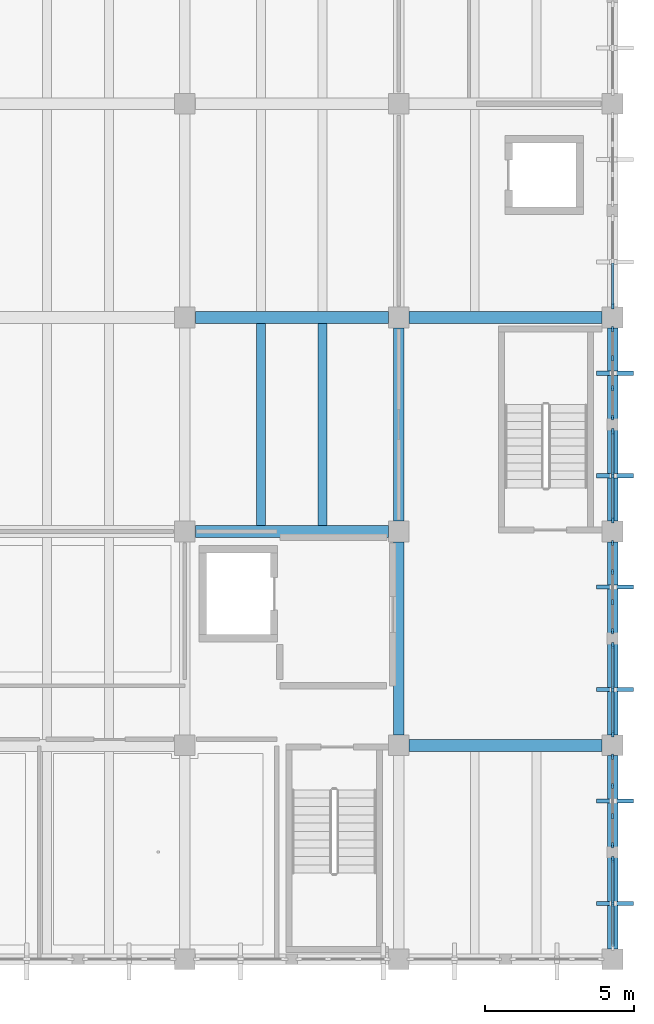
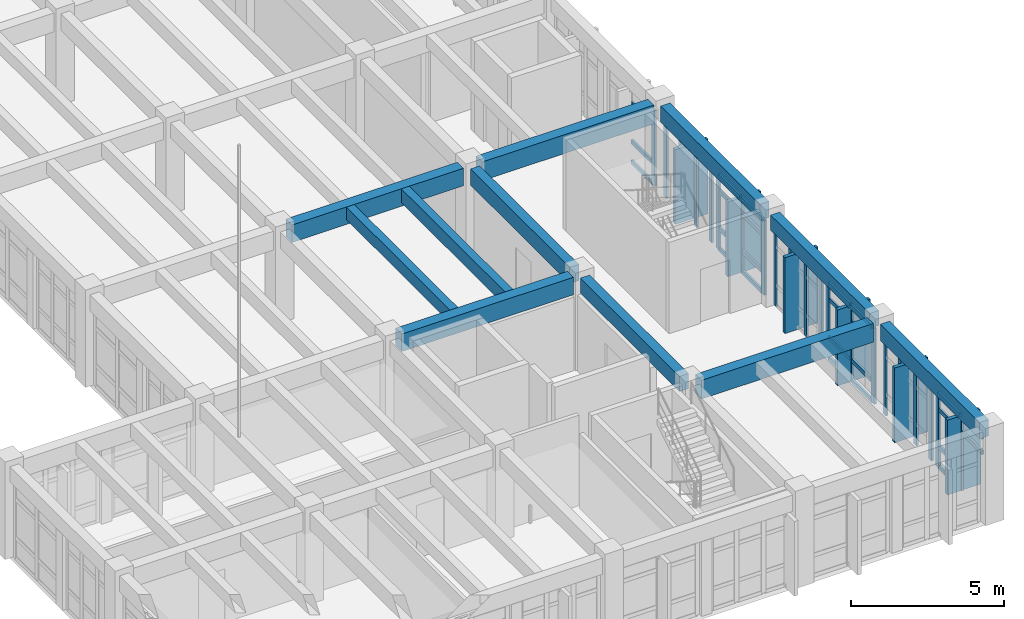
# One storey, part 13 of 54: 52 members, 11 beams, 7 elements without a shape of their own.
"""IFC4 building model written with IfcOpenShell, lengths in metres."""

from ifc_helpers import new_model, si_unit, direction, frame, origin, origin_2d, place, context, subcontext, project, spatial, rectangle, extrude, material, layer, layer_set, material_profile, profile_set, type_object, element, aggregate, save


model = new_model("IFC4")

# Units and contexts
model_context = context("Model", 3, precision=1e-05, world=origin(), true_north=direction((0.0, 1.0)))
body_context = subcontext(model_context, "Body", "Model", "MODEL_VIEW")
ifc_project = project(units=[si_unit("LENGTHUNIT", "METRE"), si_unit("AREAUNIT", "SQUARE_METRE"), si_unit("VOLUMEUNIT", "CUBIC_METRE"), si_unit("PLANEANGLEUNIT", "RADIAN"), si_unit("MASSUNIT", "GRAM", prefix="KILO")], contexts=[model_context])

# Site, building, storey
site_placement = place(None, origin())
site = spatial("IfcSite", under=ifc_project, at=site_placement, CompositionType="ELEMENT")
building_placement = place(site_placement, origin())
building = spatial("IfcBuilding", under=site, at=building_placement, Name="Koriwan Promenade Central Fire Station", CompositionType="ELEMENT")
storey_placement = place(building_placement, frame((0.0, 0.0, 9.60009765625)))
storey = spatial("IfcBuildingStorey", under=building, at=storey_placement, Name="L02", CompositionType="ELEMENT", Elevation=9.60009765625)

# Beams
ifc_material_1 = material(Name="Concrete C35/45", Category="concrete")
ifc_material_profile_1 = material_profile(ifc_material_1, rectangle(XDim=0.300048828125, YDim=0.5, at=origin_2d()), Name="RC-BM-300x500")
ifc_profile_set_1 = profile_set([ifc_material_profile_1], Name="Concrete C35/45")
beam_type_1 = type_object("IfcBeamType", Name="Beam_RC-BM-300x500", PredefinedType="JOIST", material=ifc_profile_set_1)
beam_1_placement = place(storey_placement, frame((160.9599609375, 14.60009765625, 3.39990234375), z_axis=(0.0, 1.0, 0.0), x_axis=(-1.0, 0.0, 0.0)))
element("IfcBeam", 1, at=beam_1_placement, inside=storey, type_object=beam_type_1, Name="V5 L02 secondary joist 829", PredefinedType="JOIST", context=body_context, shape_type="SweptSolid", body=[
    extrude(rectangle(XDim=0.300048828125, YDim=0.5, at=origin_2d()), origin(), (0.0, 0.0, 1.0), 6.7998046875),
])
ifc_material_profile_2 = material_profile(ifc_material_1, rectangle(XDim=0.300048828125, YDim=0.550048828125, at=origin_2d()), Name="RC-BM-300x550")
ifc_profile_set_2 = profile_set([ifc_material_profile_2], Name="Concrete C35/45")
beam_type_2 = type_object("IfcBeamType", Name="Beam_RC-BM-300x550", PredefinedType="JOIST", material=ifc_profile_set_2)
beam_2_placement = place(storey_placement, frame((163.0400390625, 14.60009765625, 3.375), z_axis=(0.0, 1.0, 0.0), x_axis=(-1.0, 0.0, 0.0)))
element("IfcBeam", 2, at=beam_2_placement, inside=storey, type_object=beam_type_2, Name="V5 L02 secondary joist 830", PredefinedType="JOIST", context=body_context, shape_type="SweptSolid", body=[
    extrude(rectangle(XDim=0.300048828125, YDim=0.550048828125, at=origin_2d()), origin(), (0.0, 0.0, 1.0), 6.7998046875),
])
ifc_material_profile_3 = material_profile(ifc_material_1, rectangle(XDim=0.35009765625, YDim=0.60009765625, at=origin_2d()), Name="RC-BM-350x600")
ifc_profile_set_3 = profile_set([ifc_material_profile_3], Name="Concrete C35/45")
beam_type_3 = type_object("IfcBeamType", Name="Beam_RC-BM-350x600", PredefinedType="BEAM", material=ifc_profile_set_3)
for number, where, z_axis, x_axis, name in (
    (3, (165.60009765625, 7.550048828125, 3.349853515625), (0.0, 1.0, 0.0), (-1.0, 0.0, 0.0), "V5 L02 girder Y-802"),
    (4, (172.800048828125, 7.550048828125, 3.349853515625), (0.0, 1.0, 0.0), (-1.0, 0.0, 0.0), "V5 L02 girder Y-810"),
):
    element("IfcBeam", number, at=place(storey_placement, frame(where, z_axis=z_axis, x_axis=x_axis)), inside=storey, type_object=beam_type_3, Name=name, PredefinedType="BEAM", context=body_context, shape_type="SweptSolid", body=[
        extrude(rectangle(XDim=0.35009765625, YDim=0.60009765625, at=origin_2d()), origin(), (0.0, 0.0, 1.0), 6.5),
    ])
ifc_material_profile_4 = material_profile(ifc_material_1, rectangle(XDim=0.35009765625, YDim=0.64990234375, at=origin_2d()), Name="RC-BM-350x650")
ifc_profile_set_4 = profile_set([ifc_material_profile_4], Name="Concrete C35/45")
beam_type_4 = type_object("IfcBeamType", Name="Beam_RC-BM-350x650", PredefinedType="BEAM", material=ifc_profile_set_4)
for number, where, z_axis, x_axis, name in (
    (5, (165.60009765625, 14.75, 3.324951171875), (0.0, 1.0, 0.0), (-1.0, 0.0, 0.0), "V5 L02 girder Y-803"),
    (6, (172.800048828125, 0.35009765625, 3.324951171875), (0.0, 1.0, 0.0), (-1.0, 0.0, 0.0), "V5 L02 girder Y-809"),
    (7, (172.800048828125, 14.75, 3.324951171875), (0.0, 1.0, 0.0), (-1.0, 0.0, 0.0), "V5 L02 girder Y-811"),
):
    element("IfcBeam", number, at=place(storey_placement, frame(where, z_axis=z_axis, x_axis=x_axis)), inside=storey, type_object=beam_type_4, Name=name, PredefinedType="BEAM", context=body_context, shape_type="SweptSolid", body=[
        extrude(rectangle(XDim=0.35009765625, YDim=0.64990234375, at=origin_2d()), origin(), (0.0, 0.0, 1.0), 6.5),
    ])
ifc_material_profile_5 = material_profile(ifc_material_1, rectangle(XDim=0.39990234375, YDim=0.699951171875, at=origin_2d()), Name="RC-BM-400x700")
ifc_profile_set_5 = profile_set([ifc_material_profile_5], Name="Concrete C35/45")
beam_type_5 = type_object("IfcBeamType", Name="Beam_RC-BM-400x700", PredefinedType="BEAM", material=ifc_profile_set_5)
for number, where, z_axis, x_axis, name in (
    (8, (158.75, 14.39990234375, 3.2998046875), (1.0, 0.0, 0.0), (0.0, 1.0, 0.0), "V5 L02 girder X-764"),
    (9, (158.75, 21.60009765625, 3.2998046875), (1.0, 0.0, 0.0), (0.0, 1.0, 0.0), "V5 L02 girder X-766"),
):
    element("IfcBeam", number, at=place(storey_placement, frame(where, z_axis=z_axis, x_axis=x_axis)), inside=storey, type_object=beam_type_5, Name=name, PredefinedType="BEAM", context=body_context, shape_type="SweptSolid", body=[
        extrude(rectangle(XDim=0.39990234375, YDim=0.699951171875, at=origin_2d()), origin(), (0.0, 0.0, 1.0), 6.5),
    ])
ifc_material_profile_6 = material_profile(ifc_material_1, rectangle(XDim=0.39990234375, YDim=0.75, at=origin_2d()), Name="RC-BM-400x750")
ifc_profile_set_6 = profile_set([ifc_material_profile_6], Name="Concrete C35/45")
beam_type_6 = type_object("IfcBeamType", Name="Beam_RC-BM-400x750", PredefinedType="BEAM", material=ifc_profile_set_6)
for number, where, z_axis, x_axis, name in (
    (10, (165.949951171875, 7.199951171875, 3.27490234375), (1.0, 0.0, 0.0), (0.0, 1.0, 0.0), "V5 L02 girder X-761"),
    (11, (165.949951171875, 21.60009765625, 3.27490234375), (1.0, 0.0, 0.0), (0.0, 1.0, 0.0), "V5 L02 girder X-767"),
):
    element("IfcBeam", number, at=place(storey_placement, frame(where, z_axis=z_axis, x_axis=x_axis)), inside=storey, type_object=beam_type_6, Name=name, PredefinedType="BEAM", context=body_context, shape_type="SweptSolid", body=[
        extrude(rectangle(XDim=0.39990234375, YDim=0.75, at=origin_2d()), origin(), (0.0, 0.0, 1.0), 6.5),
    ])

# Curtain wall, members
ifc_material_2 = material(Name="Aluminium EN AW-6063-T6 and low-E glazing", Category="aluminium")
ifc_layer_1 = layer(ifc_material_2, 0.159912109375, Name="Aluminium EN AW-6063-T6 and low-E glazing")
ifc_layer_set_1 = layer_set([ifc_layer_1], Name="Aluminium EN AW-6063-T6 and low-E glazing")
curtain_wall_type_1 = type_object("IfcCurtainWallType", Name="CurtainWall_73_305x299", PredefinedType="USERDEFINED", material=ifc_layer_set_1)
curtain_wall_1_placement = place(storey_placement, origin())
curtain_wall_1 = element("IfcCurtainWall", 12, at=curtain_wall_1_placement, inside=storey, type_object=curtain_wall_type_1, Name="V5 L02 unitised curtain wall 245", ObjectType="UNITISED CURTAIN WALL", PredefinedType="USERDEFINED")
ifc_material_3 = material(Name="Aluminium EN AW-6063-T6", Category="aluminium")
ifc_material_profile_7 = material_profile(ifc_material_3, rectangle(XDim=0.074951171875, YDim=0.179931640625, at=origin_2d()), Name="ALU-MUL-75x180")
ifc_profile_set_7 = profile_set([ifc_material_profile_7], Name="Aluminium EN AW-6063-T6")
member_type_1 = type_object("IfcMemberType", Name="CWMullion_ALU-MUL-75x180", PredefinedType="MULLION", material=ifc_profile_set_7)
member_1_placement = place(storey_placement, frame((172.800048828125, 21.21240234375, 0.0), z_axis=(0.0, 0.0, 1.0), x_axis=(1.0, 0.0, 0.0)))
member_1 = element("IfcMember", 13, at=member_1_placement, type_object=member_type_1, Name="CW-73 mullion 1", PredefinedType="MULLION", context=body_context, shape_type="SweptSolid", body=[
    extrude(rectangle(XDim=0.074951171875, YDim=0.179931640625, at=origin_2d()), origin(), (0.0, 0.0, 1.0), 2.989990234375),
])
member_2_placement = place(storey_placement, frame((172.800048828125, 20.2333984375, 0.0), z_axis=(0.0, 0.0, 1.0), x_axis=(1.0, 0.0, 0.0)))
member_2 = element("IfcMember", 14, at=member_2_placement, type_object=member_type_1, Name="CW-73 mullion 2", PredefinedType="MULLION", context=body_context, shape_type="SweptSolid", body=[
    extrude(rectangle(XDim=0.074951171875, YDim=0.179931640625, at=origin_2d()), origin(), (0.0, 0.0, 1.0), 2.989990234375),
])
member_3_placement = place(storey_placement, frame((172.800048828125, 19.216552734375, 0.0), z_axis=(0.0, 0.0, 1.0), x_axis=(1.0, 0.0, 0.0)))
member_3 = element("IfcMember", 15, at=member_3_placement, type_object=member_type_1, Name="CW-73 mullion 3", PredefinedType="MULLION", context=body_context, shape_type="SweptSolid", body=[
    extrude(rectangle(XDim=0.074951171875, YDim=0.179931640625, at=origin_2d()), origin(), (0.0, 0.0, 1.0), 2.989990234375),
])
member_4_placement = place(storey_placement, frame((172.800048828125, 18.237548828125, 0.0), z_axis=(0.0, 0.0, 1.0), x_axis=(1.0, 0.0, 0.0)))
member_4 = element("IfcMember", 16, at=member_4_placement, type_object=member_type_1, Name="CW-73 mullion 4", PredefinedType="MULLION", context=body_context, shape_type="SweptSolid", body=[
    extrude(rectangle(XDim=0.074951171875, YDim=0.179931640625, at=origin_2d()), origin(), (0.0, 0.0, 1.0), 2.989990234375),
])
aggregate(curtain_wall_1, [member_1, member_2, member_3, member_4])

ifc_layer_2 = layer(ifc_material_2, 0.159912109375, Name="Aluminium EN AW-6063-T6 and low-E glazing")
ifc_layer_set_2 = layer_set([ifc_layer_2], Name="Aluminium EN AW-6063-T6 and low-E glazing")
curtain_wall_type_2 = type_object("IfcCurtainWallType", Name="CurtainWall_80_305x304", PredefinedType="USERDEFINED", material=ifc_layer_set_2)
curtain_wall_2_placement = place(storey_placement, origin())
curtain_wall_2 = element("IfcCurtainWall", 17, at=curtain_wall_2_placement, inside=storey, type_object=curtain_wall_type_2, Name="V5 L02 unitised curtain wall 247", ObjectType="UNITISED CURTAIN WALL", PredefinedType="USERDEFINED")
member_5_placement = place(storey_placement, frame((172.800048828125, 14.012451171875, 0.0), z_axis=(0.0, 0.0, 1.0), x_axis=(1.0, 0.0, 0.0)))
member_5 = element("IfcMember", 18, at=member_5_placement, type_object=member_type_1, Name="CW-80 mullion 1", PredefinedType="MULLION", context=body_context, shape_type="SweptSolid", body=[
    extrude(rectangle(XDim=0.074951171875, YDim=0.179931640625, at=origin_2d()), origin(), (0.0, 0.0, 1.0), 3.039794921875),
])
member_6_placement = place(storey_placement, frame((172.800048828125, 13.033447265625, 0.0), z_axis=(0.0, 0.0, 1.0), x_axis=(1.0, 0.0, 0.0)))
member_6 = element("IfcMember", 19, at=member_6_placement, type_object=member_type_1, Name="CW-80 mullion 2", PredefinedType="MULLION", context=body_context, shape_type="SweptSolid", body=[
    extrude(rectangle(XDim=0.074951171875, YDim=0.179931640625, at=origin_2d()), origin(), (0.0, 0.0, 1.0), 3.039794921875),
])
member_7_placement = place(storey_placement, frame((172.800048828125, 12.0166015625, 0.0), z_axis=(0.0, 0.0, 1.0), x_axis=(1.0, 0.0, 0.0)))
member_7 = element("IfcMember", 20, at=member_7_placement, type_object=member_type_1, Name="CW-80 mullion 3", PredefinedType="MULLION", context=body_context, shape_type="SweptSolid", body=[
    extrude(rectangle(XDim=0.074951171875, YDim=0.179931640625, at=origin_2d()), origin(), (0.0, 0.0, 1.0), 3.039794921875),
])
member_8_placement = place(storey_placement, frame((172.800048828125, 11.03759765625, 0.0), z_axis=(0.0, 0.0, 1.0), x_axis=(1.0, 0.0, 0.0)))
member_8 = element("IfcMember", 21, at=member_8_placement, type_object=member_type_1, Name="CW-80 mullion 4", PredefinedType="MULLION", context=body_context, shape_type="SweptSolid", body=[
    extrude(rectangle(XDim=0.074951171875, YDim=0.179931640625, at=origin_2d()), origin(), (0.0, 0.0, 1.0), 3.039794921875),
])
aggregate(curtain_wall_2, [member_5, member_6, member_7, member_8])

curtain_wall_3_placement = place(storey_placement, origin())
curtain_wall_3 = element("IfcCurtainWall", 22, at=curtain_wall_3_placement, inside=storey, type_object=curtain_wall_type_1, Name="V5 L02 unitised curtain wall 249", ObjectType="UNITISED CURTAIN WALL", PredefinedType="USERDEFINED")
member_9_placement = place(storey_placement, frame((172.800048828125, 6.8125, 0.0), z_axis=(0.0, 0.0, 1.0), x_axis=(1.0, 0.0, 0.0)))
member_9 = element("IfcMember", 23, at=member_9_placement, type_object=member_type_1, Name="CW-73 mullion 1", PredefinedType="MULLION", context=body_context, shape_type="SweptSolid", body=[
    extrude(rectangle(XDim=0.074951171875, YDim=0.179931640625, at=origin_2d()), origin(), (0.0, 0.0, 1.0), 2.989990234375),
])
member_10_placement = place(storey_placement, frame((172.800048828125, 5.833251953125, 0.0), z_axis=(0.0, 0.0, 1.0), x_axis=(1.0, 0.0, 0.0)))
member_10 = element("IfcMember", 24, at=member_10_placement, type_object=member_type_1, Name="CW-73 mullion 2", PredefinedType="MULLION", context=body_context, shape_type="SweptSolid", body=[
    extrude(rectangle(XDim=0.074951171875, YDim=0.179931640625, at=origin_2d()), origin(), (0.0, 0.0, 1.0), 2.989990234375),
])
member_11_placement = place(storey_placement, frame((172.800048828125, 4.816650390625, 0.0), z_axis=(0.0, 0.0, 1.0), x_axis=(1.0, 0.0, 0.0)))
member_11 = element("IfcMember", 25, at=member_11_placement, type_object=member_type_1, Name="CW-73 mullion 3", PredefinedType="MULLION", context=body_context, shape_type="SweptSolid", body=[
    extrude(rectangle(XDim=0.074951171875, YDim=0.179931640625, at=origin_2d()), origin(), (0.0, 0.0, 1.0), 2.989990234375),
])
member_12_placement = place(storey_placement, frame((172.800048828125, 3.83740234375, 0.0), z_axis=(0.0, 0.0, 1.0), x_axis=(1.0, 0.0, 0.0)))
member_12 = element("IfcMember", 26, at=member_12_placement, type_object=member_type_1, Name="CW-73 mullion 4", PredefinedType="MULLION", context=body_context, shape_type="SweptSolid", body=[
    extrude(rectangle(XDim=0.074951171875, YDim=0.179931640625, at=origin_2d()), origin(), (0.0, 0.0, 1.0), 2.989990234375),
])
aggregate(curtain_wall_3, [member_9, member_10, member_11, member_12])

# Curtain wall, member
ifc_layer_3 = layer(ifc_material_2, 0.159912109375, Name="Aluminium EN AW-6063-T6 and low-E glazing")
ifc_layer_set_3 = layer_set([ifc_layer_3], Name="Aluminium EN AW-6063-T6 and low-E glazing")
curtain_wall_type_3 = type_object("IfcCurtainWallType", Name="CurtainWall_81_305x304", PredefinedType="USERDEFINED", material=ifc_layer_set_3)
curtain_wall_4_placement = place(storey_placement, origin())
curtain_wall_4 = element("IfcCurtainWall", 27, at=curtain_wall_4_placement, inside=storey, type_object=curtain_wall_type_3, Name="V5 L02 unitised curtain wall 244", ObjectType="UNITISED CURTAIN WALL", PredefinedType="USERDEFINED")
ifc_material_profile_8 = material_profile(ifc_material_3, rectangle(XDim=0.080078125, YDim=0.2099609375, at=origin_2d()), Name="ALU-MUL-80x210")
ifc_profile_set_8 = profile_set([ifc_material_profile_8], Name="Aluminium EN AW-6063-T6")
member_type_2 = type_object("IfcMemberType", Name="CWMullion_ALU-MUL-80x210", PredefinedType="MULLION", material=ifc_profile_set_8)
member_13_placement = place(storey_placement, frame((172.800048828125, 21.989990234375, 0.0), z_axis=(0.0, 0.0, 1.0), x_axis=(1.0, 0.0, 0.0)))
member_13 = element("IfcMember", 28, at=member_13_placement, type_object=member_type_2, Name="CW-81 mullion 3", PredefinedType="MULLION", context=body_context, shape_type="SweptSolid", body=[
    extrude(rectangle(XDim=0.080078125, YDim=0.2099609375, at=origin_2d()), origin(), (0.0, 0.0, 1.0), 3.039794921875),
])

# Curtain wall, members
ifc_layer_4 = layer(ifc_material_2, 0.159912109375, Name="Aluminium EN AW-6063-T6 and low-E glazing")
ifc_layer_set_4 = layer_set([ifc_layer_4], Name="Aluminium EN AW-6063-T6 and low-E glazing")
curtain_wall_type_4 = type_object("IfcCurtainWallType", Name="CurtainWall_10_305x299", PredefinedType="USERDEFINED", material=ifc_layer_set_4)
curtain_wall_5_placement = place(storey_placement, origin())
curtain_wall_5 = element("IfcCurtainWall", 29, at=curtain_wall_5_placement, inside=storey, type_object=curtain_wall_type_4, Name="V5 L02 unitised curtain wall 246", ObjectType="UNITISED CURTAIN WALL", PredefinedType="USERDEFINED")
member_14_placement = place(storey_placement, frame((172.800048828125, 17.760009765625, 0.0), z_axis=(0.0, 0.0, 1.0), x_axis=(1.0, 0.0, 0.0)))
member_14 = element("IfcMember", 30, at=member_14_placement, type_object=member_type_2, Name="CW-10 mullion 1", PredefinedType="MULLION", context=body_context, shape_type="SweptSolid", body=[
    extrude(rectangle(XDim=0.080078125, YDim=0.2099609375, at=origin_2d()), origin(), (0.0, 0.0, 1.0), 2.989990234375),
])
member_15_placement = place(storey_placement, frame((172.800048828125, 16.27490234375, 0.0), z_axis=(0.0, 0.0, 1.0), x_axis=(1.0, 0.0, 0.0)))
member_15 = element("IfcMember", 31, at=member_15_placement, type_object=member_type_2, Name="CW-10 mullion 2", PredefinedType="MULLION", context=body_context, shape_type="SweptSolid", body=[
    extrude(rectangle(XDim=0.080078125, YDim=0.2099609375, at=origin_2d()), origin(), (0.0, 0.0, 1.0), 2.989990234375),
])
member_16_placement = place(storey_placement, frame((172.800048828125, 14.7900390625, 0.0), z_axis=(0.0, 0.0, 1.0), x_axis=(1.0, 0.0, 0.0)))
member_16 = element("IfcMember", 32, at=member_16_placement, type_object=member_type_2, Name="CW-10 mullion 3", PredefinedType="MULLION", context=body_context, shape_type="SweptSolid", body=[
    extrude(rectangle(XDim=0.080078125, YDim=0.2099609375, at=origin_2d()), origin(), (0.0, 0.0, 1.0), 2.989990234375),
])

curtain_wall_6_placement = place(storey_placement, origin())
curtain_wall_6 = element("IfcCurtainWall", 33, at=curtain_wall_6_placement, inside=storey, type_object=curtain_wall_type_3, Name="V5 L02 unitised curtain wall 248", ObjectType="UNITISED CURTAIN WALL", PredefinedType="USERDEFINED")
member_17_placement = place(storey_placement, frame((172.800048828125, 10.56005859375, 0.0), z_axis=(0.0, 0.0, 1.0), x_axis=(1.0, 0.0, 0.0)))
member_17 = element("IfcMember", 34, at=member_17_placement, type_object=member_type_2, Name="CW-81 mullion 1", PredefinedType="MULLION", context=body_context, shape_type="SweptSolid", body=[
    extrude(rectangle(XDim=0.080078125, YDim=0.2099609375, at=origin_2d()), origin(), (0.0, 0.0, 1.0), 3.039794921875),
])
member_18_placement = place(storey_placement, frame((172.800048828125, 9.074951171875, 0.0), z_axis=(0.0, 0.0, 1.0), x_axis=(1.0, 0.0, 0.0)))
member_18 = element("IfcMember", 35, at=member_18_placement, type_object=member_type_2, Name="CW-81 mullion 2", PredefinedType="MULLION", context=body_context, shape_type="SweptSolid", body=[
    extrude(rectangle(XDim=0.080078125, YDim=0.2099609375, at=origin_2d()), origin(), (0.0, 0.0, 1.0), 3.039794921875),
])
member_19_placement = place(storey_placement, frame((172.800048828125, 7.590087890625, 0.0), z_axis=(0.0, 0.0, 1.0), x_axis=(1.0, 0.0, 0.0)))
member_19 = element("IfcMember", 36, at=member_19_placement, type_object=member_type_2, Name="CW-81 mullion 3", PredefinedType="MULLION", context=body_context, shape_type="SweptSolid", body=[
    extrude(rectangle(XDim=0.080078125, YDim=0.2099609375, at=origin_2d()), origin(), (0.0, 0.0, 1.0), 3.039794921875),
])

curtain_wall_7_placement = place(storey_placement, origin())
curtain_wall_7 = element("IfcCurtainWall", 37, at=curtain_wall_7_placement, inside=storey, type_object=curtain_wall_type_4, Name="V5 L02 unitised curtain wall 250", ObjectType="UNITISED CURTAIN WALL", PredefinedType="USERDEFINED")
member_20_placement = place(storey_placement, frame((172.800048828125, 3.360107421875, 0.0), z_axis=(0.0, 0.0, 1.0), x_axis=(1.0, 0.0, 0.0)))
member_20 = element("IfcMember", 38, at=member_20_placement, type_object=member_type_2, Name="CW-10 mullion 1", PredefinedType="MULLION", context=body_context, shape_type="SweptSolid", body=[
    extrude(rectangle(XDim=0.080078125, YDim=0.2099609375, at=origin_2d()), origin(), (0.0, 0.0, 1.0), 2.989990234375),
])
member_21_placement = place(storey_placement, frame((172.800048828125, 1.875, 0.0), z_axis=(0.0, 0.0, 1.0), x_axis=(1.0, 0.0, 0.0)))
member_21 = element("IfcMember", 39, at=member_21_placement, type_object=member_type_2, Name="CW-10 mullion 2", PredefinedType="MULLION", context=body_context, shape_type="SweptSolid", body=[
    extrude(rectangle(XDim=0.080078125, YDim=0.2099609375, at=origin_2d()), origin(), (0.0, 0.0, 1.0), 2.989990234375),
])

# Member
ifc_material_profile_9 = material_profile(ifc_material_3, rectangle(XDim=0.080078125, YDim=0.155029296875, at=origin_2d()), Name="ALU-TRN-80x155")
ifc_profile_set_9 = profile_set([ifc_material_profile_9], Name="Aluminium EN AW-6063-T6")
member_type_3 = type_object("IfcMemberType", Name="CWTransom_ALU-TRN-80x155", PredefinedType="USERDEFINED", material=ifc_profile_set_9)
member_22_placement = place(storey_placement, frame((172.800048828125, 23.43505859375, 0.039794921875), z_axis=(0.0, -1.0, 0.0), x_axis=(1.0, 0.0, 0.0)))
member_22 = element("IfcMember", 40, at=member_22_placement, type_object=member_type_3, Name="CW-81 transom 2.1", ObjectType="TRANSOM", PredefinedType="USERDEFINED", context=body_context, shape_type="SweptSolid", body=[
    extrude(rectangle(XDim=0.080078125, YDim=0.155029296875, at=origin_2d()), origin(), (0.0, 0.0, 1.0), 1.405029296875),
])

member_23_placement = place(storey_placement, frame((172.800048828125, 23.43505859375, 0.849853515625), z_axis=(0.0, -1.0, 0.0), x_axis=(1.0, 0.0, 0.0)))
member_23 = element("IfcMember", 41, at=member_23_placement, type_object=member_type_3, Name="CW-81 transom 2.2", ObjectType="TRANSOM", PredefinedType="USERDEFINED", context=body_context, shape_type="SweptSolid", body=[
    extrude(rectangle(XDim=0.080078125, YDim=0.155029296875, at=origin_2d()), origin(), (0.0, 0.0, 1.0), 1.405029296875),
])

member_24_placement = place(storey_placement, frame((172.800048828125, 23.43505859375, 2.389892578125), z_axis=(0.0, -1.0, 0.0), x_axis=(1.0, 0.0, 0.0)))
member_24 = element("IfcMember", 42, at=member_24_placement, type_object=member_type_3, Name="CW-81 transom 2.3", ObjectType="TRANSOM", PredefinedType="USERDEFINED", context=body_context, shape_type="SweptSolid", body=[
    extrude(rectangle(XDim=0.080078125, YDim=0.155029296875, at=origin_2d()), origin(), (0.0, 0.0, 1.0), 1.405029296875),
])

aggregate(curtain_wall_4, [member_13, member_22, member_23, member_24])

member_25_placement = place(storey_placement, frame((172.800048828125, 17.719970703125, 0.039794921875), z_axis=(0.0, -1.0, 0.0), x_axis=(1.0, 0.0, 0.0)))
member_25 = element("IfcMember", 43, at=member_25_placement, type_object=member_type_3, Name="CW-10 transom 1.1", ObjectType="TRANSOM", PredefinedType="USERDEFINED", context=body_context, shape_type="SweptSolid", body=[
    extrude(rectangle(XDim=0.080078125, YDim=0.155029296875, at=origin_2d()), origin(), (0.0, 0.0, 1.0), 1.405029296875),
])

member_26_placement = place(storey_placement, frame((172.800048828125, 17.719970703125, 0.849853515625), z_axis=(0.0, -1.0, 0.0), x_axis=(1.0, 0.0, 0.0)))
member_26 = element("IfcMember", 44, at=member_26_placement, type_object=member_type_3, Name="CW-10 transom 1.2", ObjectType="TRANSOM", PredefinedType="USERDEFINED", context=body_context, shape_type="SweptSolid", body=[
    extrude(rectangle(XDim=0.080078125, YDim=0.155029296875, at=origin_2d()), origin(), (0.0, 0.0, 1.0), 1.405029296875),
])

member_27_placement = place(storey_placement, frame((172.800048828125, 17.719970703125, 2.33984375), z_axis=(0.0, -1.0, 0.0), x_axis=(1.0, 0.0, 0.0)))
member_27 = element("IfcMember", 45, at=member_27_placement, type_object=member_type_3, Name="CW-10 transom 1.3", ObjectType="TRANSOM", PredefinedType="USERDEFINED", context=body_context, shape_type="SweptSolid", body=[
    extrude(rectangle(XDim=0.080078125, YDim=0.155029296875, at=origin_2d()), origin(), (0.0, 0.0, 1.0), 1.405029296875),
])

member_28_placement = place(storey_placement, frame((172.800048828125, 17.719970703125, 2.949951171875), z_axis=(0.0, -1.0, 0.0), x_axis=(1.0, 0.0, 0.0)))
member_28 = element("IfcMember", 46, at=member_28_placement, type_object=member_type_3, Name="CW-10 transom 1.4", ObjectType="TRANSOM", PredefinedType="USERDEFINED", context=body_context, shape_type="SweptSolid", body=[
    extrude(rectangle(XDim=0.080078125, YDim=0.155029296875, at=origin_2d()), origin(), (0.0, 0.0, 1.0), 1.405029296875),
])

member_29_placement = place(storey_placement, frame((172.800048828125, 16.235107421875, 0.039794921875), z_axis=(0.0, -1.0, 0.0), x_axis=(1.0, 0.0, 0.0)))
member_29 = element("IfcMember", 47, at=member_29_placement, type_object=member_type_3, Name="CW-10 transom 2.1", ObjectType="TRANSOM", PredefinedType="USERDEFINED", context=body_context, shape_type="SweptSolid", body=[
    extrude(rectangle(XDim=0.080078125, YDim=0.155029296875, at=origin_2d()), origin(), (0.0, 0.0, 1.0), 1.405029296875),
])

member_30_placement = place(storey_placement, frame((172.800048828125, 16.235107421875, 0.849853515625), z_axis=(0.0, -1.0, 0.0), x_axis=(1.0, 0.0, 0.0)))
member_30 = element("IfcMember", 48, at=member_30_placement, type_object=member_type_3, Name="CW-10 transom 2.2", ObjectType="TRANSOM", PredefinedType="USERDEFINED", context=body_context, shape_type="SweptSolid", body=[
    extrude(rectangle(XDim=0.080078125, YDim=0.155029296875, at=origin_2d()), origin(), (0.0, 0.0, 1.0), 1.405029296875),
])

member_31_placement = place(storey_placement, frame((172.800048828125, 16.235107421875, 2.33984375), z_axis=(0.0, -1.0, 0.0), x_axis=(1.0, 0.0, 0.0)))
member_31 = element("IfcMember", 49, at=member_31_placement, type_object=member_type_3, Name="CW-10 transom 2.3", ObjectType="TRANSOM", PredefinedType="USERDEFINED", context=body_context, shape_type="SweptSolid", body=[
    extrude(rectangle(XDim=0.080078125, YDim=0.155029296875, at=origin_2d()), origin(), (0.0, 0.0, 1.0), 1.405029296875),
])

member_32_placement = place(storey_placement, frame((172.800048828125, 16.235107421875, 2.949951171875), z_axis=(0.0, -1.0, 0.0), x_axis=(1.0, 0.0, 0.0)))
member_32 = element("IfcMember", 50, at=member_32_placement, type_object=member_type_3, Name="CW-10 transom 2.4", ObjectType="TRANSOM", PredefinedType="USERDEFINED", context=body_context, shape_type="SweptSolid", body=[
    extrude(rectangle(XDim=0.080078125, YDim=0.155029296875, at=origin_2d()), origin(), (0.0, 0.0, 1.0), 1.405029296875),
])

aggregate(curtain_wall_5, [member_14, member_15, member_16, member_25, member_26, member_27, member_28, member_29, member_30, member_31, member_32])

member_33_placement = place(storey_placement, frame((172.800048828125, 10.52001953125, 0.039794921875), z_axis=(0.0, -1.0, 0.0), x_axis=(1.0, 0.0, 0.0)))
member_33 = element("IfcMember", 51, at=member_33_placement, type_object=member_type_3, Name="CW-81 transom 1.1", ObjectType="TRANSOM", PredefinedType="USERDEFINED", context=body_context, shape_type="SweptSolid", body=[
    extrude(rectangle(XDim=0.080078125, YDim=0.155029296875, at=origin_2d()), origin(), (0.0, 0.0, 1.0), 1.405029296875),
])

member_34_placement = place(storey_placement, frame((172.800048828125, 10.52001953125, 0.849853515625), z_axis=(0.0, -1.0, 0.0), x_axis=(1.0, 0.0, 0.0)))
member_34 = element("IfcMember", 52, at=member_34_placement, type_object=member_type_3, Name="CW-81 transom 1.2", ObjectType="TRANSOM", PredefinedType="USERDEFINED", context=body_context, shape_type="SweptSolid", body=[
    extrude(rectangle(XDim=0.080078125, YDim=0.155029296875, at=origin_2d()), origin(), (0.0, 0.0, 1.0), 1.405029296875),
])

member_35_placement = place(storey_placement, frame((172.800048828125, 10.52001953125, 2.389892578125), z_axis=(0.0, -1.0, 0.0), x_axis=(1.0, 0.0, 0.0)))
member_35 = element("IfcMember", 53, at=member_35_placement, type_object=member_type_3, Name="CW-81 transom 1.3", ObjectType="TRANSOM", PredefinedType="USERDEFINED", context=body_context, shape_type="SweptSolid", body=[
    extrude(rectangle(XDim=0.080078125, YDim=0.155029296875, at=origin_2d()), origin(), (0.0, 0.0, 1.0), 1.405029296875),
])

member_36_placement = place(storey_placement, frame((172.800048828125, 10.52001953125, 3.0), z_axis=(0.0, -1.0, 0.0), x_axis=(1.0, 0.0, 0.0)))
member_36 = element("IfcMember", 54, at=member_36_placement, type_object=member_type_3, Name="CW-81 transom 1.4", ObjectType="TRANSOM", PredefinedType="USERDEFINED", context=body_context, shape_type="SweptSolid", body=[
    extrude(rectangle(XDim=0.080078125, YDim=0.155029296875, at=origin_2d()), origin(), (0.0, 0.0, 1.0), 1.405029296875),
])

member_37_placement = place(storey_placement, frame((172.800048828125, 9.034912109375, 0.039794921875), z_axis=(0.0, -1.0, 0.0), x_axis=(1.0, 0.0, 0.0)))
member_37 = element("IfcMember", 55, at=member_37_placement, type_object=member_type_3, Name="CW-81 transom 2.1", ObjectType="TRANSOM", PredefinedType="USERDEFINED", context=body_context, shape_type="SweptSolid", body=[
    extrude(rectangle(XDim=0.080078125, YDim=0.155029296875, at=origin_2d()), origin(), (0.0, 0.0, 1.0), 1.405029296875),
])

member_38_placement = place(storey_placement, frame((172.800048828125, 9.034912109375, 0.849853515625), z_axis=(0.0, -1.0, 0.0), x_axis=(1.0, 0.0, 0.0)))
member_38 = element("IfcMember", 56, at=member_38_placement, type_object=member_type_3, Name="CW-81 transom 2.2", ObjectType="TRANSOM", PredefinedType="USERDEFINED", context=body_context, shape_type="SweptSolid", body=[
    extrude(rectangle(XDim=0.080078125, YDim=0.155029296875, at=origin_2d()), origin(), (0.0, 0.0, 1.0), 1.405029296875),
])

member_39_placement = place(storey_placement, frame((172.800048828125, 9.034912109375, 2.389892578125), z_axis=(0.0, -1.0, 0.0), x_axis=(1.0, 0.0, 0.0)))
member_39 = element("IfcMember", 57, at=member_39_placement, type_object=member_type_3, Name="CW-81 transom 2.3", ObjectType="TRANSOM", PredefinedType="USERDEFINED", context=body_context, shape_type="SweptSolid", body=[
    extrude(rectangle(XDim=0.080078125, YDim=0.155029296875, at=origin_2d()), origin(), (0.0, 0.0, 1.0), 1.405029296875),
])

member_40_placement = place(storey_placement, frame((172.800048828125, 9.034912109375, 3.0), z_axis=(0.0, -1.0, 0.0), x_axis=(1.0, 0.0, 0.0)))
member_40 = element("IfcMember", 58, at=member_40_placement, type_object=member_type_3, Name="CW-81 transom 2.4", ObjectType="TRANSOM", PredefinedType="USERDEFINED", context=body_context, shape_type="SweptSolid", body=[
    extrude(rectangle(XDim=0.080078125, YDim=0.155029296875, at=origin_2d()), origin(), (0.0, 0.0, 1.0), 1.405029296875),
])

aggregate(curtain_wall_6, [member_17, member_18, member_19, member_33, member_34, member_35, member_36, member_37, member_38, member_39, member_40])

member_41_placement = place(storey_placement, frame((172.800048828125, 3.320068359375, 0.039794921875), z_axis=(0.0, -1.0, 0.0), x_axis=(1.0, 0.0, 0.0)))
member_41 = element("IfcMember", 59, at=member_41_placement, type_object=member_type_3, Name="CW-10 transom 1.1", ObjectType="TRANSOM", PredefinedType="USERDEFINED", context=body_context, shape_type="SweptSolid", body=[
    extrude(rectangle(XDim=0.080078125, YDim=0.155029296875, at=origin_2d()), origin(), (0.0, 0.0, 1.0), 1.405029296875),
])

member_42_placement = place(storey_placement, frame((172.800048828125, 3.320068359375, 0.849853515625), z_axis=(0.0, -1.0, 0.0), x_axis=(1.0, 0.0, 0.0)))
member_42 = element("IfcMember", 60, at=member_42_placement, type_object=member_type_3, Name="CW-10 transom 1.2", ObjectType="TRANSOM", PredefinedType="USERDEFINED", context=body_context, shape_type="SweptSolid", body=[
    extrude(rectangle(XDim=0.080078125, YDim=0.155029296875, at=origin_2d()), origin(), (0.0, 0.0, 1.0), 1.405029296875),
])

member_43_placement = place(storey_placement, frame((172.800048828125, 3.320068359375, 2.33984375), z_axis=(0.0, -1.0, 0.0), x_axis=(1.0, 0.0, 0.0)))
member_43 = element("IfcMember", 61, at=member_43_placement, type_object=member_type_3, Name="CW-10 transom 1.3", ObjectType="TRANSOM", PredefinedType="USERDEFINED", context=body_context, shape_type="SweptSolid", body=[
    extrude(rectangle(XDim=0.080078125, YDim=0.155029296875, at=origin_2d()), origin(), (0.0, 0.0, 1.0), 1.405029296875),
])

member_44_placement = place(storey_placement, frame((172.800048828125, 3.320068359375, 2.949951171875), z_axis=(0.0, -1.0, 0.0), x_axis=(1.0, 0.0, 0.0)))
member_44 = element("IfcMember", 62, at=member_44_placement, type_object=member_type_3, Name="CW-10 transom 1.4", ObjectType="TRANSOM", PredefinedType="USERDEFINED", context=body_context, shape_type="SweptSolid", body=[
    extrude(rectangle(XDim=0.080078125, YDim=0.155029296875, at=origin_2d()), origin(), (0.0, 0.0, 1.0), 1.405029296875),
])

member_45_placement = place(storey_placement, frame((172.800048828125, 1.8349609375, 2.33984375), z_axis=(0.0, -1.0, 0.0), x_axis=(1.0, 0.0, 0.0)))
member_45 = element("IfcMember", 63, at=member_45_placement, type_object=member_type_3, Name="CW-10 transom 2.3", ObjectType="TRANSOM", PredefinedType="USERDEFINED", context=body_context, shape_type="SweptSolid", body=[
    extrude(rectangle(XDim=0.080078125, YDim=0.155029296875, at=origin_2d()), origin(), (0.0, 0.0, 1.0), 1.405029296875),
])

member_46_placement = place(storey_placement, frame((172.800048828125, 1.8349609375, 2.949951171875), z_axis=(0.0, -1.0, 0.0), x_axis=(1.0, 0.0, 0.0)))
member_46 = element("IfcMember", 64, at=member_46_placement, type_object=member_type_3, Name="CW-10 transom 2.4", ObjectType="TRANSOM", PredefinedType="USERDEFINED", context=body_context, shape_type="SweptSolid", body=[
    extrude(rectangle(XDim=0.080078125, YDim=0.155029296875, at=origin_2d()), origin(), (0.0, 0.0, 1.0), 1.405029296875),
])

aggregate(curtain_wall_7, [member_20, member_21, member_41, member_42, member_43, member_44, member_45, member_46])

# Members
ifc_material_4 = material(Name="Aluminium EN AW-6063-T6 terracotta finish", Category="masonry")
ifc_material_profile_10 = material_profile(ifc_material_4, rectangle(XDim=0.139892578125, YDim=1.25, at=origin_2d()), Name="FIN-TRC-140x1250")
ifc_profile_set_10 = profile_set([ifc_material_profile_10], Name="Aluminium EN AW-6063-T6 terracotta finish")
member_type_4 = type_object("IfcMemberType", Name="SolarFin_FIN-TRC-140x1250", PredefinedType="USERDEFINED", material=ifc_profile_set_10)
for number, where, z_axis, x_axis, name in (
    (65, (172.875, 19.72509765625, 0.0), (0.0, 0.0, 1.0), (0.0, -1.0, 0.0), "V5 L02 terracotta solar fin 079"),
    (66, (172.875, 16.27490234375, 0.0), (0.0, 0.0, 1.0), (0.0, -1.0, 0.0), "V5 L02 terracotta solar fin 080"),
):
    element("IfcMember", number, at=place(storey_placement, frame(where, z_axis=z_axis, x_axis=x_axis)), inside=storey, type_object=member_type_4, Name=name, ObjectType="SOLAR FIN", PredefinedType="USERDEFINED", context=body_context, shape_type="SweptSolid", body=[
        extrude(rectangle(XDim=0.139892578125, YDim=1.25, at=origin_2d()), origin(), (0.0, 0.0, 1.0), 2.989990234375),
    ])
for number, where, z_axis, x_axis, name in (
    (67, (172.875, 12.52490234375, 0.0), (0.0, 0.0, 1.0), (0.0, -1.0, 0.0), "V5 L02 terracotta solar fin 081"),
    (68, (172.875, 9.074951171875, 0.0), (0.0, 0.0, 1.0), (0.0, -1.0, 0.0), "V5 L02 terracotta solar fin 082"),
):
    element("IfcMember", number, at=place(storey_placement, frame(where, z_axis=z_axis, x_axis=x_axis)), inside=storey, type_object=member_type_4, Name=name, ObjectType="SOLAR FIN", PredefinedType="USERDEFINED", context=body_context, shape_type="SweptSolid", body=[
        extrude(rectangle(XDim=0.139892578125, YDim=1.25, at=origin_2d()), origin(), (0.0, 0.0, 1.0), 3.039794921875),
    ])
for number, where, z_axis, x_axis, name in (
    (69, (172.875, 5.324951171875, 0.0), (0.0, 0.0, 1.0), (0.0, -1.0, 0.0), "V5 L02 terracotta solar fin 083"),
    (70, (172.875, 1.875, 0.0), (0.0, 0.0, 1.0), (0.0, -1.0, 0.0), "V5 L02 terracotta solar fin 084"),
):
    element("IfcMember", number, at=place(storey_placement, frame(where, z_axis=z_axis, x_axis=x_axis)), inside=storey, type_object=member_type_4, Name=name, ObjectType="SOLAR FIN", PredefinedType="USERDEFINED", context=body_context, shape_type="SweptSolid", body=[
        extrude(rectangle(XDim=0.139892578125, YDim=1.25, at=origin_2d()), origin(), (0.0, 0.0, 1.0), 2.989990234375),
    ])

save(model, "model.ifc")
